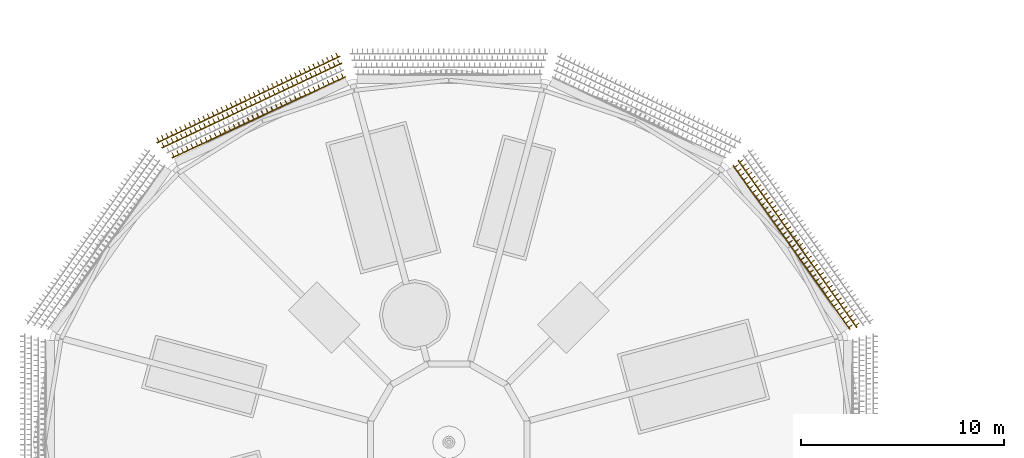
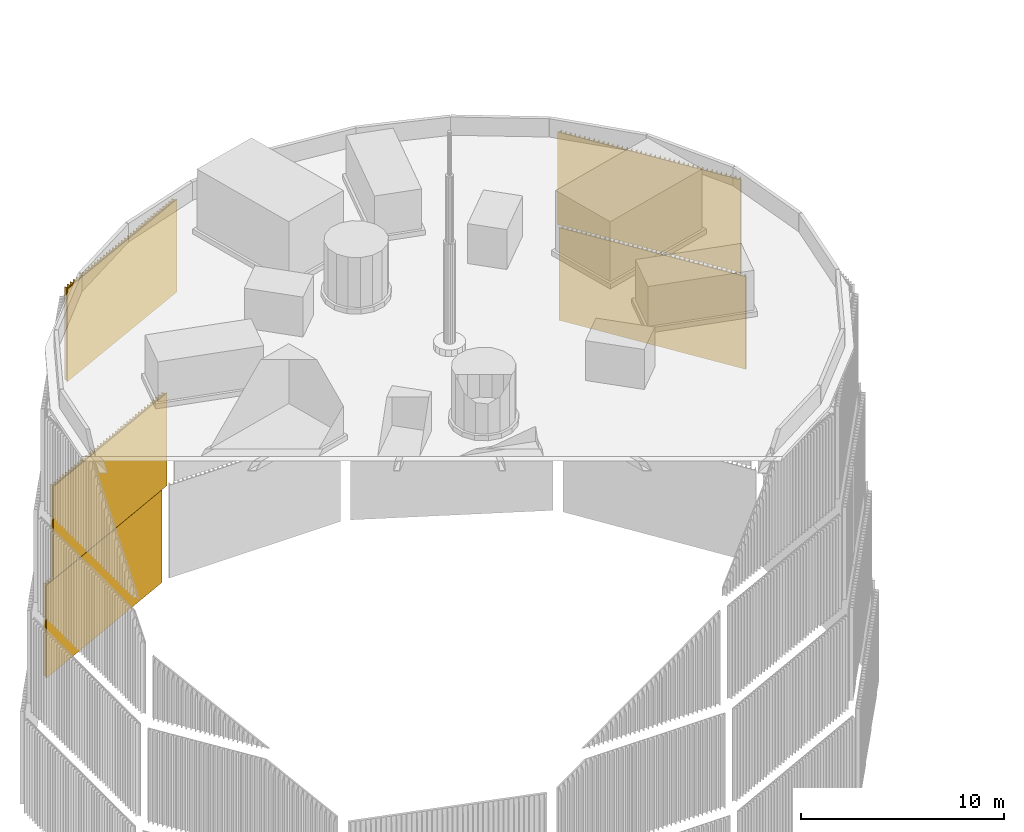
# One storey, part 10 of 24: 5 coverings.
"""IFC4 building model written with IfcOpenShell, lengths in metres."""

from ifc_helpers import new_model, si_unit, direction, frame, origin, place, context, subcontext, project, spatial, polyline, outline, extrude, material, type_object, element, save


model = new_model("IFC4")

# Units and contexts
model_context = context("Model", 3, precision=1e-05, world=origin(), true_north=direction((0.0, 1.0)))
body_context = subcontext(model_context, "Body", "Model", "MODEL_VIEW")
ifc_project = project(units=[si_unit("LENGTHUNIT", "METRE"), si_unit("AREAUNIT", "SQUARE_METRE"), si_unit("VOLUMEUNIT", "CUBIC_METRE"), si_unit("PLANEANGLEUNIT", "RADIAN"), si_unit("MASSUNIT", "GRAM", prefix="KILO")], contexts=[model_context])

# Site, building, storey
site_placement = place(None, origin())
site = spatial("IfcSite", under=ifc_project, at=site_placement, CompositionType="ELEMENT")
building_placement = place(site_placement, origin())
building = spatial("IfcBuilding", under=site, at=building_placement, Name="Rimbun Link Towers", CompositionType="ELEMENT")
storey_placement = place(building_placement, frame((0.0, 0.0, 294.89990234375)))
storey = spatial("IfcBuildingStorey", under=building, at=storey_placement, Name="Roof cap", CompositionType="ELEMENT", Elevation=294.89990234375)

# Coverings
ifc_material = material(Name="Terracotta", Category="masonry")
covering_type = type_object("IfcCoveringType", Name="TERRACOTTA CLADDING screen fins", PredefinedType="CLADDING", material=ifc_material)
covering_1_placement = place(storey_placement, frame((0.0, 0.0, -23.087890625)))
element("IfcCovering", 1, at=covering_1_placement, inside=storey, type_object=covering_type, Name="TERRACOTTA CLADDING screen", PredefinedType="CLADDING", context=body_context, shape_type="SweptSolid", body=[
    extrude(outline(polyline([(-37.12548828125, 19.08056640625), (-37.225341796875, 19.033447265625), (-37.310791015625, 19.214111328125), (-37.337890625, 19.201416015625), (-37.25244140625, 19.0205078125), (-37.451904296875, 18.92626953125), (-37.537353515625, 19.107177734375), (-37.564453125, 19.09423828125), (-37.47900390625, 18.91357421875), (-37.67822265625, 18.819091796875), (-37.763916015625, 19.0), (-37.791015625, 18.987060546875), (-37.705322265625, 18.806396484375), (-37.90478515625, 18.7119140625), (-37.990234375, 18.892822265625), (-38.017333984375, 18.8798828125), (-37.931884765625, 18.69921875), (-38.13134765625, 18.604736328125), (-38.216796875, 18.78564453125), (-38.243896484375, 18.772705078125), (-38.158447265625, 18.592041015625), (-38.357666015625, 18.497802734375), (-38.443359375, 18.678466796875), (-38.470458984375, 18.66552734375), (-38.385009765625, 18.48486328125), (-38.584228515625, 18.390380859375), (-38.669921875, 18.5712890625), (-38.697021484375, 18.55859375), (-38.611328125, 18.377685546875), (-38.810791015625, 18.283447265625), (-38.896240234375, 18.464111328125), (-38.92333984375, 18.451416015625), (-38.837890625, 18.2705078125), (-39.037109375, 18.17626953125), (-39.122802734375, 18.35693359375), (-39.14990234375, 18.34423828125), (-39.064208984375, 18.163330078125), (-39.263671875, 18.069091796875), (-39.34912109375, 18.25), (-39.37646484375, 18.237060546875), (-39.290771484375, 18.05615234375), (-39.490234375, 17.9619140625), (-39.57568359375, 18.142578125), (-39.602783203125, 18.1298828125), (-39.517333984375, 17.94921875), (-39.716796875, 17.854736328125), (-39.80224609375, 18.03564453125), (-39.829345703125, 18.022705078125), (-39.743896484375, 17.841796875), (-39.943115234375, 17.74755859375), (-40.02880859375, 17.928466796875), (-40.055908203125, 17.91552734375), (-39.97021484375, 17.73486328125), (-40.169677734375, 17.640380859375), (-40.255126953125, 17.8212890625), (-40.2822265625, 17.808349609375), (-40.19677734375, 17.627685546875), (-40.396240234375, 17.533203125), (-40.481689453125, 17.714111328125), (-40.5087890625, 17.701416015625), (-40.42333984375, 17.5205078125), (-40.622802734375, 17.42626953125), (-40.708251953125, 17.60693359375), (-40.7353515625, 17.593994140625), (-40.64990234375, 17.413330078125), (-40.84912109375, 17.319091796875), (-40.934814453125, 17.499755859375), (-40.9619140625, 17.487060546875), (-40.876220703125, 17.30615234375), (-41.07568359375, 17.2119140625), (-41.1611328125, 17.392578125), (-41.188232421875, 17.3798828125), (-41.102783203125, 17.198974609375), (-41.302001953125, 17.104736328125), (-41.3876953125, 17.285400390625), (-41.414794921875, 17.272705078125), (-41.329345703125, 17.091796875), (-41.528564453125, 16.99755859375), (-41.6142578125, 17.17822265625), (-41.641357421875, 17.16552734375), (-41.555908203125, 16.984619140625), (-41.755126953125, 16.890380859375), (-41.8408203125, 17.0712890625), (-41.867919921875, 17.058349609375), (-41.7822265625, 16.877685546875), (-41.981689453125, 16.783203125), (-42.067138671875, 16.964111328125), (-42.09423828125, 16.951171875), (-42.0087890625, 16.7705078125), (-42.2080078125, 16.676025390625), (-42.293701171875, 16.85693359375), (-42.32080078125, 16.843994140625), (-42.235107421875, 16.663330078125), (-42.4345703125, 16.56884765625), (-42.52001953125, 16.749755859375), (-42.54736328125, 16.73681640625), (-42.461669921875, 16.55615234375), (-42.6611328125, 16.4619140625), (-42.74658203125, 16.642578125), (-42.773681640625, 16.629638671875), (-42.688232421875, 16.448974609375), (-42.8876953125, 16.3544921875), (-42.97314453125, 16.535400390625), (-43.000244140625, 16.522705078125), (-42.914794921875, 16.341796875), (-43.114013671875, 16.24755859375), (-43.19970703125, 16.42822265625), (-43.226806640625, 16.415283203125), (-43.14111328125, 16.234619140625), (-43.340576171875, 16.140380859375), (-43.426025390625, 16.321044921875), (-43.453125, 16.308349609375), (-43.36767578125, 16.12744140625), (-43.567138671875, 16.033203125), (-43.652587890625, 16.214111328125), (-43.6796875, 16.201171875), (-43.59423828125, 16.020263671875), (-43.793701171875, 15.926025390625), (-43.879150390625, 16.106689453125), (-43.90625, 16.093994140625), (-43.82080078125, 15.9130859375), (-44.02001953125, 15.81884765625), (-44.105712890625, 15.999755859375), (-44.1328125, 15.98681640625), (-44.047119140625, 15.805908203125), (-44.24658203125, 15.711669921875), (-44.33203125, 15.892578125), (-44.359130859375, 15.879638671875), (-44.273681640625, 15.698974609375), (-44.472900390625, 15.6044921875), (-44.55859375, 15.785400390625), (-44.585693359375, 15.7724609375), (-44.500244140625, 15.591796875), (-44.699462890625, 15.497314453125), (-44.78515625, 15.67822265625), (-44.812255859375, 15.665283203125), (-44.726806640625, 15.484619140625), (-44.926025390625, 15.390380859375), (-45.01171875, 15.571044921875), (-45.038818359375, 15.55810546875), (-44.953125, 15.37744140625), (-45.152587890625, 15.283203125), (-45.238037109375, 15.4638671875), (-45.26513671875, 15.451171875), (-45.1796875, 15.270263671875), (-45.37890625, 15.176025390625), (-45.464599609375, 15.356689453125), (-45.49169921875, 15.343994140625), (-45.406005859375, 15.1630859375), (-45.60546875, 15.06884765625), (-45.69091796875, 15.24951171875), (-45.71826171875, 15.23681640625), (-45.632568359375, 15.055908203125), (-45.83203125, 14.961669921875), (-45.91748046875, 15.142333984375), (-45.944580078125, 15.129638671875), (-45.859130859375, 14.94873046875), (-46.05859375, 14.8544921875), (-46.14404296875, 15.035400390625), (-46.171142578125, 15.0224609375), (-46.085693359375, 14.841796875), (-46.185302734375, 14.79443359375), (-46.147705078125, 14.757080078125), (-37.1123046875, 19.031494140625), (-37.12548828125, 19.08056640625)])), origin(), (0.0, 0.0, 1.0), 5.575927734375),
])
covering_2_placement = place(storey_placement, frame((0.0, 0.0, -17.087890625)))
element("IfcCovering", 2, at=covering_2_placement, inside=storey, type_object=covering_type, Name="TERRACOTTA CLADDING screen", PredefinedType="CLADDING", context=body_context, shape_type="SweptSolid", body=[
    extrude(outline(polyline([(-37.034912109375, 18.742431640625), (-37.135498046875, 18.695068359375), (-37.220703125, 18.876220703125), (-37.248046875, 18.86328125), (-37.16259765625, 18.682373046875), (-37.36376953125, 18.587646484375), (-37.44921875, 18.7685546875), (-37.476318359375, 18.755615234375), (-37.39111328125, 18.57470703125), (-37.592041015625, 18.47998046875), (-37.677490234375, 18.660888671875), (-37.70458984375, 18.648193359375), (-37.619384765625, 18.46728515625), (-37.8203125, 18.372314453125), (-37.90576171875, 18.55322265625), (-37.932861328125, 18.54052734375), (-37.847412109375, 18.359619140625), (-38.048583984375, 18.264892578125), (-38.1337890625, 18.44580078125), (-38.1611328125, 18.43310546875), (-38.07568359375, 18.251953125), (-38.277099609375, 18.1572265625), (-38.3623046875, 18.338134765625), (-38.389404296875, 18.325439453125), (-38.30419921875, 18.14453125), (-38.505126953125, 18.0498046875), (-38.590576171875, 18.230712890625), (-38.61767578125, 18.2177734375), (-38.532470703125, 18.036865234375), (-38.7333984375, 17.942138671875), (-38.81884765625, 18.123046875), (-38.845947265625, 18.110107421875), (-38.760498046875, 17.92919921875), (-38.9619140625, 17.83447265625), (-39.047119140625, 18.015380859375), (-39.07421875, 18.002685546875), (-38.989013671875, 17.82177734375), (-39.190185546875, 17.726806640625), (-39.275390625, 17.907958984375), (-39.302490234375, 17.89501953125), (-39.21728515625, 17.714111328125), (-39.418212890625, 17.619384765625), (-39.503662109375, 17.80029296875), (-39.53076171875, 17.78759765625), (-39.445556640625, 17.606689453125), (-39.646484375, 17.51171875), (-39.73193359375, 17.692626953125), (-39.759033203125, 17.679931640625), (-39.673828125, 17.4990234375), (-39.875, 17.404296875), (-39.960205078125, 17.585205078125), (-39.9873046875, 17.572265625), (-39.902099609375, 17.391357421875), (-40.103271484375, 17.296630859375), (-40.1884765625, 17.4775390625), (-40.215576171875, 17.46484375), (-40.13037109375, 17.28369140625), (-40.331298828125, 17.189208984375), (-40.416748046875, 17.3701171875), (-40.44384765625, 17.357177734375), (-40.358642578125, 17.17626953125), (-40.559814453125, 17.08154296875), (-40.64501953125, 17.262451171875), (-40.672119140625, 17.24951171875), (-40.5869140625, 17.068603515625), (-40.7880859375, 16.973876953125), (-40.873291015625, 17.15478515625), (-40.900390625, 17.14208984375), (-40.815185546875, 16.961181640625), (-41.016357421875, 16.8662109375), (-41.1015625, 17.047119140625), (-41.128662109375, 17.034423828125), (-41.04345703125, 16.853515625), (-41.24462890625, 16.7587890625), (-41.329833984375, 16.939697265625), (-41.35693359375, 16.927001953125), (-41.271728515625, 16.74609375), (-41.472900390625, 16.651123046875), (-41.55810546875, 16.83203125), (-41.585205078125, 16.8193359375), (-41.5, 16.638427734375), (-41.701171875, 16.543701171875), (-41.786376953125, 16.724609375), (-41.8134765625, 16.711669921875), (-41.728271484375, 16.53076171875), (-41.929443359375, 16.43603515625), (-42.0146484375, 16.616943359375), (-42.041748046875, 16.60400390625), (-41.95654296875, 16.423095703125), (-42.15771484375, 16.328369140625), (-42.242919921875, 16.509521484375), (-42.27001953125, 16.49658203125), (-42.184814453125, 16.315673828125), (-42.385986328125, 16.220947265625), (-42.47119140625, 16.40185546875), (-42.498291015625, 16.388916015625), (-42.4130859375, 16.2080078125), (-42.6142578125, 16.11328125), (-42.699462890625, 16.294189453125), (-42.7265625, 16.281494140625), (-42.641357421875, 16.1005859375), (-42.842529296875, 16.005615234375), (-42.927734375, 16.1865234375), (-42.954833984375, 16.173828125), (-42.86962890625, 15.992919921875), (-43.07080078125, 15.898193359375), (-43.156005859375, 16.0791015625), (-43.18310546875, 16.06640625), (-43.097900390625, 15.88525390625), (-43.299072265625, 15.79052734375), (-43.38427734375, 15.971435546875), (-43.41162109375, 15.958740234375), (-43.326171875, 15.77783203125), (-43.52734375, 15.68310546875), (-43.612548828125, 15.864013671875), (-43.6396484375, 15.85107421875), (-43.554443359375, 15.670166015625), (-43.755615234375, 15.575439453125), (-43.8408203125, 15.75634765625), (-43.867919921875, 15.743408203125), (-43.78271484375, 15.5625), (-43.98388671875, 15.4677734375), (-44.069091796875, 15.648681640625), (-44.09619140625, 15.635986328125), (-44.010986328125, 15.455078125), (-44.212158203125, 15.360107421875), (-44.29736328125, 15.541259765625), (-44.32470703125, 15.5283203125), (-44.2392578125, 15.347412109375), (-44.4404296875, 15.252685546875), (-44.525634765625, 15.43359375), (-44.552734375, 15.4208984375), (-44.467529296875, 15.239990234375), (-44.668701171875, 15.14501953125), (-44.75390625, 15.325927734375), (-44.781005859375, 15.313232421875), (-44.69580078125, 15.13232421875), (-44.89697265625, 15.03759765625), (-44.982421875, 15.218505859375), (-45.009521484375, 15.20556640625), (-44.924072265625, 15.024658203125), (-45.125244140625, 14.929931640625), (-45.21044921875, 15.11083984375), (-45.23779296875, 15.09814453125), (-45.15234375, 14.917236328125), (-45.353515625, 14.822509765625), (-45.438720703125, 15.00341796875), (-45.4658203125, 14.990478515625), (-45.380615234375, 14.8095703125), (-45.581787109375, 14.71484375), (-45.6669921875, 14.895751953125), (-45.694091796875, 14.8828125), (-45.60888671875, 14.701904296875), (-45.81005859375, 14.607177734375), (-45.8955078125, 14.7880859375), (-45.922607421875, 14.775390625), (-45.837158203125, 14.594482421875), (-45.937744140625, 14.547119140625), (-45.900146484375, 14.509521484375), (-37.021728515625, 18.693603515625), (-37.034912109375, 18.742431640625)])), origin(), (0.0, 0.0, 1.0), 5.575927734375),
])
covering_3_placement = place(storey_placement, frame((0.0, 0.0, -11.087890625)))
element("IfcCovering", 3, at=covering_3_placement, inside=storey, type_object=covering_type, Name="TERRACOTTA CLADDING screen", PredefinedType="CLADDING", context=body_context, shape_type="SweptSolid", body=[
    extrude(outline(polyline([(-11.58251953125, 5.666748046875), (-11.647216796875, 5.758056640625), (-11.48388671875, 5.873779296875), (-11.501220703125, 5.898193359375), (-11.664306640625, 5.782470703125), (-11.793701171875, 5.96484375), (-11.630615234375, 6.08056640625), (-11.648193359375, 6.10498046875), (-11.811279296875, 5.9892578125), (-11.940673828125, 6.171630859375), (-11.777587890625, 6.287353515625), (-11.794921875, 6.311767578125), (-11.9580078125, 6.196044921875), (-12.08740234375, 6.37841796875), (-11.92431640625, 6.494140625), (-11.941650390625, 6.5185546875), (-12.104736328125, 6.40283203125), (-12.23388671875, 6.585205078125), (-12.07080078125, 6.700927734375), (-12.08837890625, 6.725341796875), (-12.25146484375, 6.609619140625), (-12.380859375, 6.7919921875), (-12.2177734375, 6.90771484375), (-12.235107421875, 6.93212890625), (-12.398193359375, 6.81640625), (-12.527587890625, 6.998779296875), (-12.364501953125, 7.114501953125), (-12.3818359375, 7.138916015625), (-12.544921875, 7.023193359375), (-12.67431640625, 7.20556640625), (-12.51123046875, 7.3212890625), (-12.528564453125, 7.345703125), (-12.691650390625, 7.22998046875), (-12.821044921875, 7.412353515625), (-12.657958984375, 7.528076171875), (-12.67529296875, 7.552490234375), (-12.83837890625, 7.436767578125), (-12.9677734375, 7.619140625), (-12.8046875, 7.73486328125), (-12.822021484375, 7.759521484375), (-12.985107421875, 7.6435546875), (-13.114501953125, 7.825927734375), (-12.951416015625, 7.941650390625), (-12.96875, 7.96630859375), (-13.1318359375, 7.850341796875), (-13.26123046875, 8.03271484375), (-13.09814453125, 8.1484375), (-13.115478515625, 8.173095703125), (-13.278564453125, 8.05712890625), (-13.407958984375, 8.239501953125), (-13.244873046875, 8.355224609375), (-13.26220703125, 8.379638671875), (-13.42529296875, 8.263916015625), (-13.5546875, 8.4462890625), (-13.3916015625, 8.56201171875), (-13.408935546875, 8.58642578125), (-13.572021484375, 8.470703125), (-13.701416015625, 8.653076171875), (-13.538330078125, 8.768798828125), (-13.555908203125, 8.793212890625), (-13.718994140625, 8.677490234375), (-13.84814453125, 8.85986328125), (-13.68505859375, 8.9755859375), (-13.702392578125, 9.0), (-13.865478515625, 8.884521484375), (-13.9951171875, 9.066650390625), (-13.831787109375, 9.1826171875), (-13.84912109375, 9.206787109375), (-14.012451171875, 9.09130859375), (-14.1416015625, 9.2734375), (-13.978515625, 9.389404296875), (-13.99609375, 9.413818359375), (-14.1591796875, 9.298095703125), (-14.28857421875, 9.480224609375), (-14.12548828125, 9.595947265625), (-14.142578125, 9.62060546875), (-14.305908203125, 9.5048828125), (-14.435302734375, 9.68701171875), (-14.272216796875, 9.802734375), (-14.28955078125, 9.827392578125), (-14.45263671875, 9.711669921875), (-14.58203125, 9.893798828125), (-14.4189453125, 10.009521484375), (-14.436279296875, 10.0341796875), (-14.599365234375, 9.91845703125), (-14.728759765625, 10.1005859375), (-14.565673828125, 10.21630859375), (-14.5830078125, 10.240966796875), (-14.74609375, 10.125244140625), (-14.87548828125, 10.3076171875), (-14.71240234375, 10.423095703125), (-14.729736328125, 10.44775390625), (-14.892822265625, 10.331787109375), (-15.022216796875, 10.514404296875), (-14.859130859375, 10.6298828125), (-14.87646484375, 10.654541015625), (-15.03955078125, 10.538818359375), (-15.1689453125, 10.72119140625), (-15.005859375, 10.8369140625), (-15.023193359375, 10.861328125), (-15.186279296875, 10.74560546875), (-15.315673828125, 10.927978515625), (-15.152587890625, 11.043701171875), (-15.169921875, 11.068115234375), (-15.3330078125, 10.952392578125), (-15.46240234375, 11.134765625), (-15.29931640625, 11.25048828125), (-15.316650390625, 11.27490234375), (-15.479736328125, 11.1591796875), (-15.609130859375, 11.34130859375), (-15.446044921875, 11.457275390625), (-15.46337890625, 11.481689453125), (-15.62646484375, 11.365966796875), (-15.755859375, 11.548095703125), (-15.5927734375, 11.6640625), (-15.610107421875, 11.6884765625), (-15.773193359375, 11.57275390625), (-15.902587890625, 11.7548828125), (-15.739501953125, 11.870849609375), (-15.7568359375, 11.895263671875), (-15.919921875, 11.779541015625), (-16.04931640625, 11.9619140625), (-15.88623046875, 12.07763671875), (-15.90380859375, 12.10205078125), (-16.06689453125, 11.986328125), (-16.1962890625, 12.168701171875), (-16.033203125, 12.284423828125), (-16.05029296875, 12.308837890625), (-16.21337890625, 12.193115234375), (-16.343017578125, 12.37548828125), (-16.1796875, 12.4912109375), (-16.197265625, 12.515625), (-16.3603515625, 12.39990234375), (-16.48974609375, 12.582275390625), (-16.32666015625, 12.697998046875), (-16.343994140625, 12.722412109375), (-16.507080078125, 12.606689453125), (-16.636474609375, 12.7890625), (-16.473388671875, 12.90478515625), (-16.49072265625, 12.92919921875), (-16.65380859375, 12.8134765625), (-16.783203125, 12.995849609375), (-16.6201171875, 13.111572265625), (-16.637451171875, 13.135986328125), (-16.800537109375, 13.020263671875), (-16.929931640625, 13.20263671875), (-16.766845703125, 13.318359375), (-16.7841796875, 13.3427734375), (-16.947265625, 13.22705078125), (-17.07666015625, 13.409423828125), (-16.91357421875, 13.525146484375), (-16.930908203125, 13.549560546875), (-17.093994140625, 13.433837890625), (-17.223388671875, 13.6162109375), (-17.060302734375, 13.73193359375), (-17.07763671875, 13.75634765625), (-17.24072265625, 13.640625), (-17.3701171875, 13.822998046875), (-17.20703125, 13.938720703125), (-17.224365234375, 13.963134765625), (-17.387451171875, 13.847412109375), (-17.4521484375, 13.938720703125), (-17.488037109375, 13.902587890625), (-11.6337890625, 5.653076171875), (-11.58251953125, 5.666748046875)])), origin(), (0.0, 0.0, 1.0), 5.575927734375),
])
covering_4_placement = place(storey_placement, frame((0.0, 0.0, -5.087890625)))
element("IfcCovering", 4, at=covering_4_placement, inside=storey, type_object=covering_type, Name="TERRACOTTA CLADDING screen", PredefinedType="CLADDING", context=body_context, shape_type="SweptSolid", body=[
    extrude(outline(polyline([(-11.92041015625, 5.576416015625), (-11.98583984375, 5.668212890625), (-11.822998046875, 5.7841796875), (-11.84033203125, 5.80859375), (-12.003173828125, 5.6923828125), (-12.134033203125, 5.876220703125), (-11.97119140625, 5.9921875), (-11.988525390625, 6.0166015625), (-12.1513671875, 5.900634765625), (-12.2822265625, 6.084228515625), (-12.119384765625, 6.2001953125), (-12.13671875, 6.224609375), (-12.299560546875, 6.108642578125), (-12.430419921875, 6.292236328125), (-12.267578125, 6.408203125), (-12.284912109375, 6.432861328125), (-12.44775390625, 6.316650390625), (-12.57861328125, 6.50048828125), (-12.415771484375, 6.616455078125), (-12.43310546875, 6.640869140625), (-12.595947265625, 6.52490234375), (-12.726806640625, 6.70849609375), (-12.563720703125, 6.824462890625), (-12.581298828125, 6.848876953125), (-12.744140625, 6.73291015625), (-12.875, 6.91650390625), (-12.7119140625, 7.032470703125), (-12.7294921875, 7.056884765625), (-12.892333984375, 6.94091796875), (-13.023193359375, 7.12451171875), (-12.860107421875, 7.240478515625), (-12.877685546875, 7.26513671875), (-13.04052734375, 7.14892578125), (-13.17138671875, 7.332763671875), (-13.00830078125, 7.44873046875), (-13.02587890625, 7.47314453125), (-13.188720703125, 7.357177734375), (-13.319580078125, 7.540771484375), (-13.156494140625, 7.65673828125), (-13.174072265625, 7.68115234375), (-13.3369140625, 7.565185546875), (-13.4677734375, 7.748779296875), (-13.3046875, 7.86474609375), (-13.322265625, 7.889404296875), (-13.485107421875, 7.773193359375), (-13.615966796875, 7.956787109375), (-13.452880859375, 8.072998046875), (-13.470458984375, 8.097412109375), (-13.63330078125, 7.981201171875), (-13.763916015625, 8.1650390625), (-13.60107421875, 8.281005859375), (-13.618408203125, 8.305419921875), (-13.781494140625, 8.189453125), (-13.912109375, 8.373046875), (-13.749267578125, 8.489013671875), (-13.7666015625, 8.513427734375), (-13.9296875, 8.3974609375), (-14.060302734375, 8.5810546875), (-13.8974609375, 8.697021484375), (-13.914794921875, 8.7216796875), (-14.077880859375, 8.60546875), (-14.20849609375, 8.789306640625), (-14.045654296875, 8.9052734375), (-14.06298828125, 8.9296875), (-14.22607421875, 8.813720703125), (-14.356689453125, 8.997314453125), (-14.19384765625, 9.11328125), (-14.211181640625, 9.1376953125), (-14.374267578125, 9.021728515625), (-14.5048828125, 9.205322265625), (-14.342041015625, 9.3212890625), (-14.359619140625, 9.345703125), (-14.5224609375, 9.229736328125), (-14.6533203125, 9.413330078125), (-14.490234375, 9.529296875), (-14.5078125, 9.553955078125), (-14.670654296875, 9.437744140625), (-14.80126953125, 9.62158203125), (-14.638427734375, 9.737548828125), (-14.65576171875, 9.761962890625), (-14.818603515625, 9.64599609375), (-14.949462890625, 9.82958984375), (-14.78662109375, 9.945556640625), (-14.803955078125, 9.969970703125), (-14.966796875, 9.85400390625), (-15.09765625, 10.03759765625), (-14.934814453125, 10.15380859375), (-14.9521484375, 10.177978515625), (-15.114990234375, 10.06201171875), (-15.245849609375, 10.24560546875), (-15.0830078125, 10.36181640625), (-15.100341796875, 10.38623046875), (-15.26318359375, 10.27001953125), (-15.39404296875, 10.453857421875), (-15.231201171875, 10.56982421875), (-15.24853515625, 10.59423828125), (-15.41162109375, 10.478271484375), (-15.542236328125, 10.661865234375), (-15.37939453125, 10.77783203125), (-15.396728515625, 10.80224609375), (-15.559814453125, 10.686279296875), (-15.6904296875, 10.869873046875), (-15.527587890625, 10.98583984375), (-15.544921875, 11.010498046875), (-15.7080078125, 10.894287109375), (-15.838623046875, 11.077880859375), (-15.67578125, 11.194091796875), (-15.693115234375, 11.218505859375), (-15.85595703125, 11.102294921875), (-15.98681640625, 11.2861328125), (-15.823974609375, 11.402099609375), (-15.84130859375, 11.426513671875), (-16.004150390625, 11.310546875), (-16.135009765625, 11.494140625), (-15.97216796875, 11.610107421875), (-15.989501953125, 11.634521484375), (-16.15234375, 11.5185546875), (-16.283203125, 11.7021484375), (-16.120361328125, 11.818115234375), (-16.1376953125, 11.8427734375), (-16.300537109375, 11.726806640625), (-16.431396484375, 11.910400390625), (-16.2685546875, 12.0263671875), (-16.285888671875, 12.05078125), (-16.44873046875, 11.934814453125), (-16.57958984375, 12.118408203125), (-16.41650390625, 12.234375), (-16.43408203125, 12.2587890625), (-16.596923828125, 12.142822265625), (-16.727783203125, 12.326416015625), (-16.564697265625, 12.4423828125), (-16.582275390625, 12.466796875), (-16.7451171875, 12.350830078125), (-16.8759765625, 12.534423828125), (-16.712890625, 12.650390625), (-16.73046875, 12.675048828125), (-16.893310546875, 12.55908203125), (-17.024169921875, 12.74267578125), (-16.861083984375, 12.858642578125), (-16.878662109375, 12.883056640625), (-17.04150390625, 12.76708984375), (-17.17236328125, 12.95068359375), (-17.009521484375, 13.066650390625), (-17.02685546875, 13.091064453125), (-17.189697265625, 12.97509765625), (-17.320556640625, 13.15869140625), (-17.15771484375, 13.27490234375), (-17.175048828125, 13.29931640625), (-17.337890625, 13.18310546875), (-17.46875, 13.36669921875), (-17.305908203125, 13.48291015625), (-17.3232421875, 13.50732421875), (-17.486083984375, 13.391357421875), (-17.61669921875, 13.574951171875), (-17.453857421875, 13.69091796875), (-17.47119140625, 13.71533203125), (-17.63427734375, 13.599365234375), (-17.69970703125, 13.691162109375), (-17.735595703125, 13.6552734375), (-11.971923828125, 5.5625), (-11.92041015625, 5.576416015625)])), origin(), (0.0, 0.0, 1.0), 5.575927734375),
])
covering_5_placement = place(storey_placement, frame((0.0, 0.0, -5.087890625)))
element("IfcCovering", 5, at=covering_5_placement, inside=storey, type_object=covering_type, Name="TERRACOTTA CLADDING screen", PredefinedType="CLADDING", context=body_context, shape_type="SweptSolid", body=[
    extrude(outline(polyline([(-36.853759765625, 18.06640625), (-36.956298828125, 18.0185546875), (-37.041015625, 18.19970703125), (-37.068115234375, 18.18701171875), (-36.9833984375, 18.005859375), (-37.1884765625, 17.909912109375), (-37.273193359375, 18.09130859375), (-37.30029296875, 18.07861328125), (-37.215576171875, 17.897216796875), (-37.42041015625, 17.801513671875), (-37.505126953125, 17.982666015625), (-37.532470703125, 17.969970703125), (-37.44775390625, 17.788818359375), (-37.652587890625, 17.693115234375), (-37.7373046875, 17.874267578125), (-37.764404296875, 17.861572265625), (-37.679931640625, 17.680419921875), (-37.884765625, 17.58447265625), (-37.969482421875, 17.765625), (-37.99658203125, 17.7529296875), (-37.912109375, 17.57177734375), (-38.116943359375, 17.47607421875), (-38.20166015625, 17.6572265625), (-38.228759765625, 17.64453125), (-38.14404296875, 17.46337890625), (-38.34912109375, 17.367431640625), (-38.433837890625, 17.548583984375), (-38.4609375, 17.535888671875), (-38.376220703125, 17.354736328125), (-38.581298828125, 17.259033203125), (-38.666015625, 17.440185546875), (-38.693115234375, 17.427490234375), (-38.6083984375, 17.246337890625), (-38.8134765625, 17.150390625), (-38.898193359375, 17.331787109375), (-38.92529296875, 17.319091796875), (-38.840576171875, 17.1376953125), (-39.04541015625, 17.0419921875), (-39.130126953125, 17.22314453125), (-39.157470703125, 17.21044921875), (-39.07275390625, 17.029296875), (-39.277587890625, 16.93359375), (-39.3623046875, 17.11474609375), (-39.389404296875, 17.10205078125), (-39.3046875, 16.9208984375), (-39.509765625, 16.824951171875), (-39.594482421875, 17.006103515625), (-39.62158203125, 16.993408203125), (-39.537109375, 16.812255859375), (-39.741943359375, 16.716552734375), (-39.82666015625, 16.897705078125), (-39.853759765625, 16.885009765625), (-39.76904296875, 16.703857421875), (-39.97412109375, 16.608154296875), (-40.05859375, 16.789306640625), (-40.0859375, 16.776611328125), (-40.001220703125, 16.595458984375), (-40.206298828125, 16.49951171875), (-40.291015625, 16.6806640625), (-40.318115234375, 16.66796875), (-40.2333984375, 16.48681640625), (-40.438232421875, 16.39111328125), (-40.52294921875, 16.572265625), (-40.55029296875, 16.5595703125), (-40.465576171875, 16.37841796875), (-40.67041015625, 16.28271484375), (-40.755126953125, 16.4638671875), (-40.7822265625, 16.451171875), (-40.69775390625, 16.27001953125), (-40.902587890625, 16.174072265625), (-40.9873046875, 16.355224609375), (-41.014404296875, 16.342529296875), (-40.9296875, 16.161376953125), (-41.134765625, 16.065673828125), (-41.219482421875, 16.246826171875), (-41.24658203125, 16.234130859375), (-41.161865234375, 16.052978515625), (-41.366943359375, 15.95703125), (-41.45166015625, 16.13818359375), (-41.478759765625, 16.12548828125), (-41.39404296875, 15.9443359375), (-41.59912109375, 15.8486328125), (-41.68359375, 16.02978515625), (-41.7109375, 16.01708984375), (-41.626220703125, 15.8359375), (-41.831298828125, 15.739990234375), (-41.916015625, 15.92138671875), (-41.943115234375, 15.90869140625), (-41.8583984375, 15.727294921875), (-42.063232421875, 15.631591796875), (-42.14794921875, 15.812744140625), (-42.17529296875, 15.800048828125), (-42.090576171875, 15.618896484375), (-42.29541015625, 15.523193359375), (-42.380126953125, 15.704345703125), (-42.4072265625, 15.691650390625), (-42.322509765625, 15.510498046875), (-42.527587890625, 15.41455078125), (-42.6123046875, 15.595703125), (-42.639404296875, 15.5830078125), (-42.5546875, 15.40185546875), (-42.759765625, 15.30615234375), (-42.844482421875, 15.4873046875), (-42.87158203125, 15.474609375), (-42.786865234375, 15.29345703125), (-42.991943359375, 15.197509765625), (-43.076416015625, 15.37890625), (-43.103759765625, 15.3662109375), (-43.01904296875, 15.184814453125), (-43.22412109375, 15.089111328125), (-43.30859375, 15.270263671875), (-43.3359375, 15.257568359375), (-43.251220703125, 15.076416015625), (-43.4560546875, 14.980712890625), (-43.540771484375, 15.161865234375), (-43.568115234375, 15.149169921875), (-43.4833984375, 14.968017578125), (-43.688232421875, 14.872314453125), (-43.77294921875, 15.053466796875), (-43.800048828125, 15.040771484375), (-43.715576171875, 14.859619140625), (-43.92041015625, 14.763671875), (-44.005126953125, 14.94482421875), (-44.0322265625, 14.93212890625), (-43.947509765625, 14.7509765625), (-44.152587890625, 14.6552734375), (-44.2373046875, 14.83642578125), (-44.264404296875, 14.82373046875), (-44.1796875, 14.642578125), (-44.384765625, 14.546630859375), (-44.469482421875, 14.727783203125), (-44.49658203125, 14.715087890625), (-44.411865234375, 14.533935546875), (-44.61669921875, 14.438232421875), (-44.701416015625, 14.619384765625), (-44.728759765625, 14.606689453125), (-44.64404296875, 14.425537109375), (-44.84912109375, 14.32958984375), (-44.93359375, 14.510986328125), (-44.960693359375, 14.498291015625), (-44.876220703125, 14.31689453125), (-45.0810546875, 14.22119140625), (-45.165771484375, 14.40234375), (-45.193115234375, 14.3896484375), (-45.1083984375, 14.20849609375), (-45.313232421875, 14.11279296875), (-45.39794921875, 14.2939453125), (-45.425048828125, 14.28125), (-45.34033203125, 14.10009765625), (-45.44287109375, 14.052001953125), (-45.4052734375, 14.014404296875), (-36.840576171875, 18.017333984375), (-36.853759765625, 18.06640625)])), origin(), (0.0, 0.0, 1.0), 5.575927734375),
])

save(model, "model.ifc")
